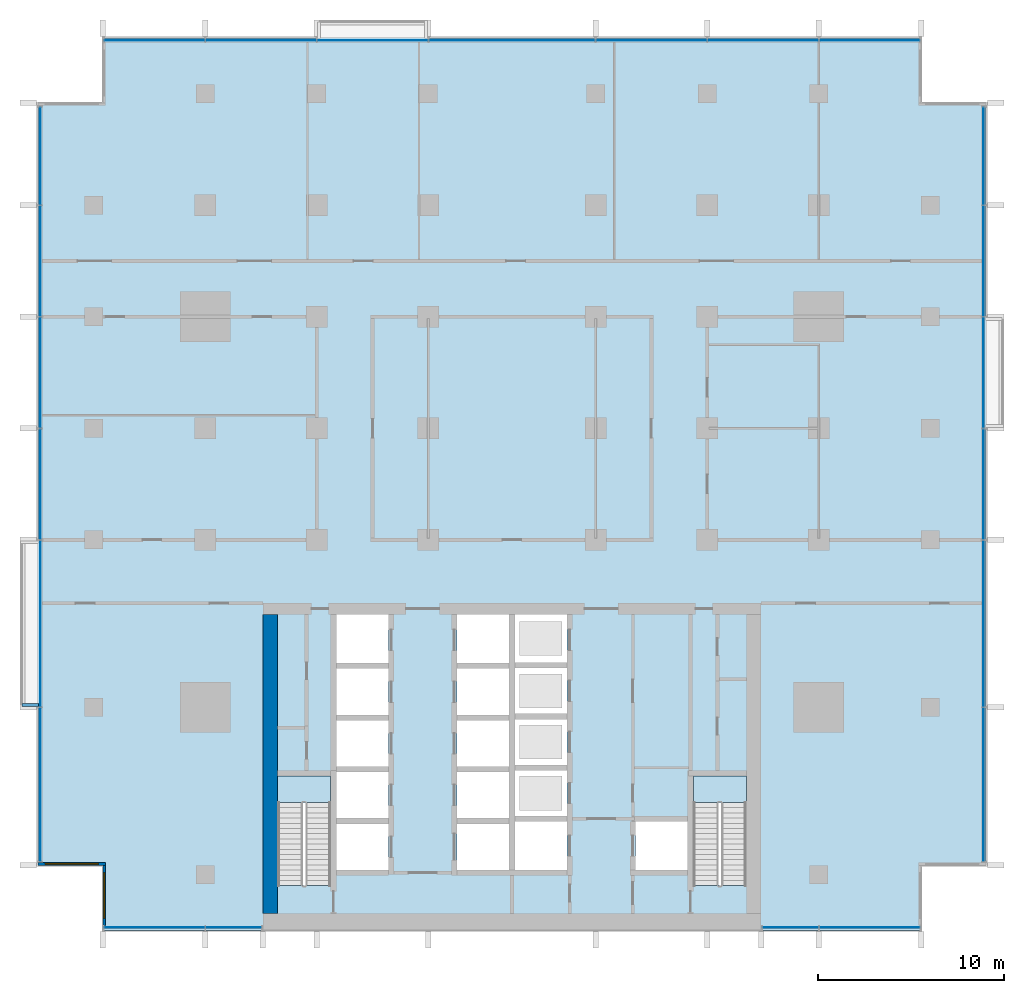
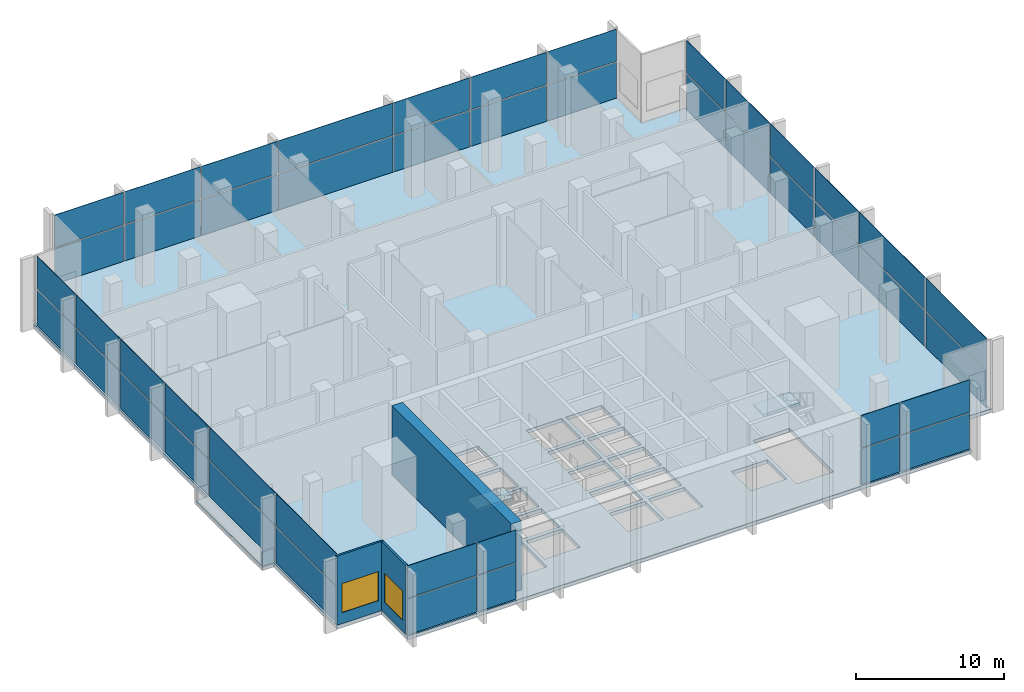
# One storey, part 6 of 16: 46 plates, 4 walls, 3 slabs, 2 windows, 2 openings, 7 elements without a shape of their own.
"""IFC4 building model written with IfcOpenShell, lengths in metres."""

import ifcopenshell
import ifcopenshell.guid

model = None  # the IFC model being written
_history = None  # IfcOwnerHistory: only IFC2X3 demands one
_inside = {}  # id of a spatial element -> (the spatial element, [elements in it])
_under = {}  # id of a project, library or spatial element -> (it, [spatial elements below it])
_declared = {}  # id of a project -> (the project, [libraries it declares])
_typed = {}  # id of a type object -> (the type object, [elements of that type])
_made_of = {}  # id of a material, layer set ... -> (it, [elements and type objects made of it])


def new_model(schema):
    """Start an empty IFC model of exactly this schema.

    Asked for "IFC4X3", IfcOpenShell would pick the latest addendum, in which some entities
    have other attributes; the version numbers below select the first issue.
    IFC2X3 requires an IfcOwnerHistory on every rooted entity: one is made here for all.
    """
    global model, _history
    if schema == "IFC4X3":
        model = ifcopenshell.file(schema_version=(4, 3, 0, 0))
    else:
        model = ifcopenshell.file(schema=schema)
    _inside.clear()
    _under.clear()
    _declared.clear()
    _typed.clear()
    _made_of.clear()
    _history = None
    if model.schema == "IFC2X3":
        org = make("IfcOrganization", Name="unknown")
        user = make(
            "IfcPersonAndOrganization",
            ThePerson=make("IfcPerson", FamilyName="unknown"),
            TheOrganization=org,
        )
        app = make(
            "IfcApplication",
            ApplicationDeveloper=org,
            Version="unknown",
            ApplicationFullName="unknown",
            ApplicationIdentifier="unknown",
        )
        _history = make(
            "IfcOwnerHistory",
            OwningUser=user,
            OwningApplication=app,
            ChangeAction="ADDED",
            CreationDate=0,
        )
    return model


def make(cls, **values):
    """One entity of the class cls with the attributes given. An attribute that is None is left unset."""
    return model.create_entity(
        cls, **{name: value for name, value in values.items() if value is not None}
    )


def rooted(cls, **values):
    """An entity with a GlobalId (a new one), such as an element, a storey or a relation."""
    return make(cls, GlobalId=ifcopenshell.guid.new(), OwnerHistory=_history, **values)


def si_unit(unit_type, name, prefix=None):
    """IfcSIUnit, for example si_unit("LENGTHUNIT", "METRE", prefix="MILLI")."""
    return make("IfcSIUnit", UnitType=unit_type, Prefix=prefix, Name=name)


def assignment(units):
    """IfcUnitAssignment: the units of a project."""
    return None if units is None else make("IfcUnitAssignment", Units=units)


def point(xyz):
    """IfcCartesianPoint."""
    return None if xyz is None else make("IfcCartesianPoint", Coordinates=xyz)


def direction(xyz):
    """IfcDirection."""
    return None if xyz is None else make("IfcDirection", DirectionRatios=xyz)


def frame(location, z_axis=None, x_axis=None):
    """IfcAxis2Placement3D, a coordinate frame: its origin and axes. An axis left out is left unset."""
    return make(
        "IfcAxis2Placement3D",
        Location=point(location),
        Axis=direction(z_axis),
        RefDirection=direction(x_axis),
    )


def frame_2d(location, x_axis=None):
    """IfcAxis2Placement2D, a coordinate frame in the plane: its origin and x axis."""
    return make(
        "IfcAxis2Placement2D", Location=point(location), RefDirection=direction(x_axis)
    )


def origin():
    """The frame at (0, 0, 0) with its axes left unset."""
    return frame((0.0, 0.0, 0.0))


def origin_2d():
    """The frame at (0, 0) in the plane with its x axis left unset."""
    return frame_2d((0.0, 0.0))


def place(relative_to, where):
    """IfcLocalPlacement: puts the frame where relative to a parent placement (None: the world)."""
    return make(
        "IfcLocalPlacement", PlacementRelTo=relative_to, RelativePlacement=where
    )


def context(
    kind, dimensions, precision=None, world=None, true_north=None, identifier=None
):
    """IfcGeometricRepresentationContext, for example the 3D "Model" context."""
    return make(
        "IfcGeometricRepresentationContext",
        ContextIdentifier=identifier,
        ContextType=kind,
        CoordinateSpaceDimension=dimensions,
        Precision=precision,
        WorldCoordinateSystem=world,
        TrueNorth=true_north,
    )


def subcontext(parent, identifier, kind, view, scale=None):
    """IfcGeometricRepresentationSubContext, for example "Body" below "Model"."""
    return make(
        "IfcGeometricRepresentationSubContext",
        ContextIdentifier=identifier,
        ContextType=kind,
        ParentContext=parent,
        TargetScale=scale,
        TargetView=view,
    )


def project(units=None, contexts=None):
    """IfcProject with its units and contexts."""
    return rooted(
        "IfcProject",
        Name="project",
        RepresentationContexts=contexts,
        UnitsInContext=assignment(units),
    )


def spatial(cls, under=None, at=None, **own):
    """A site, building, storey or space (cls), placed at a placement, below another one or the project."""
    s = rooted(cls, ObjectPlacement=at, **own)
    if under is not None:
        _under.setdefault(under.id(), (under, []))[1].append(s)
    return s


def polyline(points):
    """IfcPolyline through the points."""
    return make("IfcPolyline", Points=[point(p) for p in points])


def profile(cls, at=None, kind="AREA", **sizes):
    """A parametric profile (cls). Its sizes go by their IFC names, for example OverallWidth=200.0."""
    return make(cls, ProfileType=kind, Position=at, **sizes)


def rectangle(**sizes):
    """IfcRectangleProfileDef."""
    return profile("IfcRectangleProfileDef", **sizes)


def outline(outer, holes=None, kind="AREA"):
    """IfcArbitraryClosedProfileDef: a profile drawn as a closed curve; with holes, ...WithVoids."""
    if holes is None:
        return make("IfcArbitraryClosedProfileDef", ProfileType=kind, OuterCurve=outer)
    return make(
        "IfcArbitraryProfileDefWithVoids",
        ProfileType=kind,
        OuterCurve=outer,
        InnerCurves=holes,
    )


def extrude(swept, where, along, depth):
    """IfcExtrudedAreaSolid: the profile swept, set in the frame where, extruded along a direction by depth."""
    return make(
        "IfcExtrudedAreaSolid",
        SweptArea=swept,
        Position=where,
        ExtrudedDirection=direction(along),
        Depth=depth,
    )


def shape(context_of_items, identifier, shape_type, items):
    """IfcShapeRepresentation: the items that make up one representation, for example the "Body"."""
    return make(
        "IfcShapeRepresentation",
        ContextOfItems=context_of_items,
        RepresentationIdentifier=identifier,
        RepresentationType=shape_type,
        Items=items,
    )


def material(Name=None, Category=None):
    """IfcMaterial."""
    return make("IfcMaterial", Name=Name, Category=Category)


def layer(
    of_material, thickness, ventilated=None, Name=None, Category=None, Priority=None
):
    """IfcMaterialLayer: one layer of a wall or slab, of a material (None: an air gap)."""
    return make(
        "IfcMaterialLayer",
        Material=of_material,
        LayerThickness=thickness,
        IsVentilated=ventilated,
        Name=Name,
        Category=Category,
        Priority=Priority,
    )


def layer_set(layers, Name=None):
    """IfcMaterialLayerSet."""
    return make("IfcMaterialLayerSet", MaterialLayers=layers, LayerSetName=Name)


def made_of(thing, what):
    """Note that an element or type object is made of a material, layer set ...; save() writes the relation."""
    if what is not None:
        _made_of.setdefault(what.id(), (what, []))[1].append(thing)
    return thing


def type_object(cls, material=None, **own):
    """A type object (cls), such as IfcWallType, which elements share."""
    return made_of(rooted(cls, **own), material)


def element(
    cls,
    number,
    at=None,
    inside=None,
    cuts=None,
    type_object=None,
    material=None,
    context=None,
    identifier="Body",
    shape_type=None,
    held_by="IfcProductDefinitionShape",
    body=None,
    shapes=None,
    **own,
):
    """One element of the class cls, such as IfcWall. Its Tag is "e" and its number.

    at: its placement. inside: the storey or other place that contains it. cuts: it is an
    opening in that element (IfcRelVoidsElement). A single representation is given by context,
    identifier, shape_type and body (its items); several are given by shapes. held_by: the class
    of the entity that holds the representations. save() writes the other relations.
    """
    e = rooted(cls, Tag="e%d" % number, ObjectPlacement=at, **own)
    if body is not None:
        shapes = [shape(context, identifier, shape_type, body)]
    if shapes is not None:
        e.Representation = make(held_by, Representations=shapes)
    if inside is not None:
        _inside.setdefault(inside.id(), (inside, []))[1].append(e)
    if cuts is not None:
        rooted(
            "IfcRelVoidsElement", RelatingBuildingElement=cuts, RelatedOpeningElement=e
        )
    if type_object is not None:
        _typed.setdefault(type_object.id(), (type_object, []))[1].append(e)
    return made_of(e, material)


def fill(opening, filler):
    """IfcRelFillsElement: the door or window that sits in an opening."""
    return rooted(
        "IfcRelFillsElement",
        RelatingOpeningElement=opening,
        RelatedBuildingElement=filler,
    )


def aggregate(whole, parts):
    """IfcRelAggregates: a whole, such as a stair, and the parts it consists of."""
    return rooted("IfcRelAggregates", RelatingObject=whole, RelatedObjects=parts)


def save(model, path):
    """Write the relations noted so far, then the file.

    IfcRelAggregates (storeys below a building ...), IfcRelContainedInSpatialStructure (elements
    in a storey), IfcRelDefinesByType, IfcRelAssociatesMaterial and IfcRelDeclares: one each for
    every whole, place, type object, material and project.
    """
    for whole, parts in _under.values():
        aggregate(whole, parts)
    for where, things in _inside.values():
        rooted(
            "IfcRelContainedInSpatialStructure",
            RelatedElements=things,
            RelatingStructure=where,
        )
    for kind, things in _typed.values():
        rooted("IfcRelDefinesByType", RelatedObjects=things, RelatingType=kind)
    for what, things in _made_of.values():
        rooted("IfcRelAssociatesMaterial", RelatedObjects=things, RelatingMaterial=what)
    for by, libraries in _declared.values():
        rooted("IfcRelDeclares", RelatingContext=by, RelatedDefinitions=libraries)
    model.write(path)


model = new_model("IFC4")

# Units and contexts
model_context = context("Model", 3, precision=1e-05, world=origin(), true_north=direction((0.0, 1.0)))
body_context = subcontext(model_context, "Body", "Model", "MODEL_VIEW")
ifc_project = project(units=[si_unit("LENGTHUNIT", "METRE"), si_unit("AREAUNIT", "SQUARE_METRE"), si_unit("VOLUMEUNIT", "CUBIC_METRE"), si_unit("PLANEANGLEUNIT", "RADIAN"), si_unit("MASSUNIT", "GRAM", prefix="KILO")], contexts=[model_context])

# Site, building, storey
site_placement = place(None, origin())
site = spatial("IfcSite", under=ifc_project, at=site_placement, CompositionType="ELEMENT")
building_placement = place(site_placement, origin())
building = spatial("IfcBuilding", under=site, at=building_placement, Name="Finial Court Residences", CompositionType="ELEMENT")
storey_placement = place(building_placement, frame((0.0, 0.0, 127.89990234375)))
storey = spatial("IfcBuildingStorey", under=building, at=storey_placement, Name="L32", CompositionType="ELEMENT", Elevation=127.89990234375)

# Curtain wall, plates
ifc_material_1 = material(Name="Bronze anodised aluminium", Category="aluminium")
curtain_wall_type = type_object("IfcCurtainWallType", Name="Sky amenity glazing", PredefinedType="NOTDEFINED", material=ifc_material_1)
curtain_wall_1_placement = place(storey_placement, origin())
curtain_wall_1 = element("IfcCurtainWall", 1, at=curtain_wall_1_placement, inside=storey, type_object=curtain_wall_type, Name="E-L32-CW-N1", PredefinedType="NOTDEFINED")
ifc_material_2 = material(Name="Clear low-e glass", Category="glass")
ifc_layer_1 = layer(ifc_material_2, 0.035888671875)
ifc_layer_set_1 = layer_set([ifc_layer_1], Name="CW3 vision glass 36")
plate_type = type_object("IfcPlateType", Name="CW3 vision glass 36", PredefinedType="CURTAIN_PANEL", material=ifc_layer_set_1)
plate_1_placement = place(storey_placement, frame((-19.231201171875, 22.35009765625, 0.000244140625), z_axis=(0.0, 0.0, 1.0), x_axis=(1.0, 0.0, 0.0)))
plate_1 = element("IfcPlate", 2, at=plate_1_placement, type_object=plate_type, Name="CW3 glass 1.1", PredefinedType="CURTAIN_PANEL", context=body_context, shape_type="SweptSolid", body=[
    extrude(rectangle(XDim=5.387451171875, YDim=0.035888671875, at=origin_2d()), origin(), (0.0, 0.0, 1.0), 2.96240234375),
])
plate_2_placement = place(storey_placement, frame((-19.231201171875, 22.35009765625, 3.03759765625), z_axis=(0.0, 0.0, 1.0), x_axis=(1.0, 0.0, 0.0)))
plate_2 = element("IfcPlate", 3, at=plate_2_placement, type_object=plate_type, Name="CW3 glass 1.2", PredefinedType="CURTAIN_PANEL", context=body_context, shape_type="SweptSolid", body=[
    extrude(rectangle(XDim=5.387451171875, YDim=0.035888671875, at=origin_2d()), origin(), (0.0, 0.0, 1.0), 2.66259765625),
])
plate_3_placement = place(storey_placement, frame((-13.5, 22.35009765625, 0.000244140625), z_axis=(0.0, 0.0, 1.0), x_axis=(1.0, 0.0, 0.0)))
plate_3 = element("IfcPlate", 4, at=plate_3_placement, type_object=plate_type, Name="CW3 glass 2.1", PredefinedType="CURTAIN_PANEL", context=body_context, shape_type="SweptSolid", body=[
    extrude(rectangle(XDim=5.925048828125, YDim=0.035888671875, at=origin_2d()), origin(), (0.0, 0.0, 1.0), 2.96240234375),
])
plate_4_placement = place(storey_placement, frame((-13.5, 22.35009765625, 3.03759765625), z_axis=(0.0, 0.0, 1.0), x_axis=(1.0, 0.0, 0.0)))
plate_4 = element("IfcPlate", 5, at=plate_4_placement, type_object=plate_type, Name="CW3 glass 2.2", PredefinedType="CURTAIN_PANEL", context=body_context, shape_type="SweptSolid", body=[
    extrude(rectangle(XDim=5.925048828125, YDim=0.035888671875, at=origin_2d()), origin(), (0.0, 0.0, 1.0), 2.66259765625),
])
plate_5_placement = place(storey_placement, frame((-7.5, 22.35009765625, 0.000244140625), z_axis=(0.0, 0.0, 1.0), x_axis=(1.0, 0.0, 0.0)))
plate_5 = element("IfcPlate", 6, at=plate_5_placement, type_object=plate_type, Name="CW3 glass 3.1", PredefinedType="CURTAIN_PANEL", context=body_context, shape_type="SweptSolid", body=[
    extrude(rectangle(XDim=5.925048828125, YDim=0.035888671875, at=origin_2d()), origin(), (0.0, 0.0, 1.0), 2.96240234375),
])
plate_6_placement = place(storey_placement, frame((-7.5, 22.35009765625, 3.03759765625), z_axis=(0.0, 0.0, 1.0), x_axis=(1.0, 0.0, 0.0)))
plate_6 = element("IfcPlate", 7, at=plate_6_placement, type_object=plate_type, Name="CW3 glass 3.2", PredefinedType="CURTAIN_PANEL", context=body_context, shape_type="SweptSolid", body=[
    extrude(rectangle(XDim=5.925048828125, YDim=0.035888671875, at=origin_2d()), origin(), (0.0, 0.0, 1.0), 2.66259765625),
])
plate_7_placement = place(storey_placement, frame((0.0, 22.35009765625, 0.000244140625), z_axis=(0.0, 0.0, 1.0), x_axis=(1.0, 0.0, 0.0)))
plate_7 = element("IfcPlate", 8, at=plate_7_placement, type_object=plate_type, Name="CW3 glass 4.1", PredefinedType="CURTAIN_PANEL", context=body_context, shape_type="SweptSolid", body=[
    extrude(rectangle(XDim=8.925048828125, YDim=0.035888671875, at=origin_2d()), origin(), (0.0, 0.0, 1.0), 2.96240234375),
])
plate_8_placement = place(storey_placement, frame((0.0, 22.35009765625, 3.03759765625), z_axis=(0.0, 0.0, 1.0), x_axis=(1.0, 0.0, 0.0)))
plate_8 = element("IfcPlate", 9, at=plate_8_placement, type_object=plate_type, Name="CW3 glass 4.2", PredefinedType="CURTAIN_PANEL", context=body_context, shape_type="SweptSolid", body=[
    extrude(rectangle(XDim=8.925048828125, YDim=0.035888671875, at=origin_2d()), origin(), (0.0, 0.0, 1.0), 2.66259765625),
])
plate_9_placement = place(storey_placement, frame((7.5, 22.35009765625, 0.000244140625), z_axis=(0.0, 0.0, 1.0), x_axis=(1.0, 0.0, 0.0)))
plate_9 = element("IfcPlate", 10, at=plate_9_placement, type_object=plate_type, Name="CW3 glass 5.1", PredefinedType="CURTAIN_PANEL", context=body_context, shape_type="SweptSolid", body=[
    extrude(rectangle(XDim=5.925048828125, YDim=0.035888671875, at=origin_2d()), origin(), (0.0, 0.0, 1.0), 2.96240234375),
])
plate_10_placement = place(storey_placement, frame((7.5, 22.35009765625, 3.03759765625), z_axis=(0.0, 0.0, 1.0), x_axis=(1.0, 0.0, 0.0)))
plate_10 = element("IfcPlate", 11, at=plate_10_placement, type_object=plate_type, Name="CW3 glass 5.2", PredefinedType="CURTAIN_PANEL", context=body_context, shape_type="SweptSolid", body=[
    extrude(rectangle(XDim=5.925048828125, YDim=0.035888671875, at=origin_2d()), origin(), (0.0, 0.0, 1.0), 2.66259765625),
])
plate_11_placement = place(storey_placement, frame((13.5, 22.35009765625, 0.000244140625), z_axis=(0.0, 0.0, 1.0), x_axis=(1.0, 0.0, 0.0)))
plate_11 = element("IfcPlate", 12, at=plate_11_placement, type_object=plate_type, Name="CW3 glass 6.1", PredefinedType="CURTAIN_PANEL", context=body_context, shape_type="SweptSolid", body=[
    extrude(rectangle(XDim=5.925048828125, YDim=0.035888671875, at=origin_2d()), origin(), (0.0, 0.0, 1.0), 2.96240234375),
])
plate_12_placement = place(storey_placement, frame((13.5, 22.35009765625, 3.03759765625), z_axis=(0.0, 0.0, 1.0), x_axis=(1.0, 0.0, 0.0)))
plate_12 = element("IfcPlate", 13, at=plate_12_placement, type_object=plate_type, Name="CW3 glass 6.2", PredefinedType="CURTAIN_PANEL", context=body_context, shape_type="SweptSolid", body=[
    extrude(rectangle(XDim=5.925048828125, YDim=0.035888671875, at=origin_2d()), origin(), (0.0, 0.0, 1.0), 2.66259765625),
])
plate_13_placement = place(storey_placement, frame((19.231201171875, 22.35009765625, 0.000244140625), z_axis=(0.0, 0.0, 1.0), x_axis=(1.0, 0.0, 0.0)))
plate_13 = element("IfcPlate", 14, at=plate_13_placement, type_object=plate_type, Name="CW3 glass 7.1", PredefinedType="CURTAIN_PANEL", context=body_context, shape_type="SweptSolid", body=[
    extrude(rectangle(XDim=5.387451171875, YDim=0.035888671875, at=origin_2d()), origin(), (0.0, 0.0, 1.0), 2.96240234375),
])
plate_14_placement = place(storey_placement, frame((19.231201171875, 22.35009765625, 3.03759765625), z_axis=(0.0, 0.0, 1.0), x_axis=(1.0, 0.0, 0.0)))
plate_14 = element("IfcPlate", 15, at=plate_14_placement, type_object=plate_type, Name="CW3 glass 7.2", PredefinedType="CURTAIN_PANEL", context=body_context, shape_type="SweptSolid", body=[
    extrude(rectangle(XDim=5.387451171875, YDim=0.035888671875, at=origin_2d()), origin(), (0.0, 0.0, 1.0), 2.66259765625),
])
aggregate(curtain_wall_1, [plate_1, plate_2, plate_3, plate_4, plate_5, plate_6, plate_7, plate_8, plate_9, plate_10, plate_11, plate_12, plate_13, plate_14])

curtain_wall_2_placement = place(storey_placement, origin())
curtain_wall_2 = element("IfcCurtainWall", 16, at=curtain_wall_2_placement, inside=storey, type_object=curtain_wall_type, Name="E-L32-CW-E2", PredefinedType="NOTDEFINED")
plate_15_placement = place(storey_placement, frame((25.35009765625, -17.65625, 0.000244140625), z_axis=(0.0, 0.0, 1.0), x_axis=(0.0, 1.0, 0.0)))
plate_15 = element("IfcPlate", 17, at=plate_15_placement, type_object=plate_type, Name="CW3 glass 1.1", PredefinedType="CURTAIN_PANEL", context=body_context, shape_type="SweptSolid", body=[
    extrude(rectangle(XDim=8.237548828125, YDim=0.035888671875, at=origin_2d()), origin(), (0.0, 0.0, 1.0), 2.96240234375),
])
plate_16_placement = place(storey_placement, frame((25.35009765625, -17.65625, 3.03759765625), z_axis=(0.0, 0.0, 1.0), x_axis=(0.0, 1.0, 0.0)))
plate_16 = element("IfcPlate", 18, at=plate_16_placement, type_object=plate_type, Name="CW3 glass 1.2", PredefinedType="CURTAIN_PANEL", context=body_context, shape_type="SweptSolid", body=[
    extrude(rectangle(XDim=8.237548828125, YDim=0.035888671875, at=origin_2d()), origin(), (0.0, 0.0, 1.0), 2.66259765625),
])
plate_17_placement = place(storey_placement, frame((25.35009765625, -9.0, 0.000244140625), z_axis=(0.0, 0.0, 1.0), x_axis=(0.0, 1.0, 0.0)))
plate_17 = element("IfcPlate", 19, at=plate_17_placement, type_object=plate_type, Name="CW3 glass 2.1", PredefinedType="CURTAIN_PANEL", context=body_context, shape_type="SweptSolid", body=[
    extrude(rectangle(XDim=8.925048828125, YDim=0.035888671875, at=origin_2d()), origin(), (0.0, 0.0, 1.0), 2.96240234375),
])
plate_18_placement = place(storey_placement, frame((25.35009765625, -9.0, 3.03759765625), z_axis=(0.0, 0.0, 1.0), x_axis=(0.0, 1.0, 0.0)))
plate_18 = element("IfcPlate", 20, at=plate_18_placement, type_object=plate_type, Name="CW3 glass 2.2", PredefinedType="CURTAIN_PANEL", context=body_context, shape_type="SweptSolid", body=[
    extrude(rectangle(XDim=8.925048828125, YDim=0.035888671875, at=origin_2d()), origin(), (0.0, 0.0, 1.0), 2.66259765625),
])
plate_19_placement = place(storey_placement, frame((25.35009765625, -1.5, 0.000244140625), z_axis=(0.0, 0.0, 1.0), x_axis=(0.0, 1.0, 0.0)))
plate_19 = element("IfcPlate", 21, at=plate_19_placement, type_object=plate_type, Name="CW3 glass 3.1", PredefinedType="CURTAIN_PANEL", context=body_context, shape_type="SweptSolid", body=[
    extrude(rectangle(XDim=5.925048828125, YDim=0.035888671875, at=origin_2d()), origin(), (0.0, 0.0, 1.0), 2.96240234375),
])
plate_20_placement = place(storey_placement, frame((25.35009765625, -1.5, 3.03759765625), z_axis=(0.0, 0.0, 1.0), x_axis=(0.0, 1.0, 0.0)))
plate_20 = element("IfcPlate", 22, at=plate_20_placement, type_object=plate_type, Name="CW3 glass 3.2", PredefinedType="CURTAIN_PANEL", context=body_context, shape_type="SweptSolid", body=[
    extrude(rectangle(XDim=5.925048828125, YDim=0.035888671875, at=origin_2d()), origin(), (0.0, 0.0, 1.0), 2.66259765625),
])
plate_21_placement = place(storey_placement, frame((25.35009765625, 4.5, 0.000244140625), z_axis=(0.0, 0.0, 1.0), x_axis=(0.0, 1.0, 0.0)))
plate_21 = element("IfcPlate", 23, at=plate_21_placement, type_object=plate_type, Name="CW3 glass 4.1", PredefinedType="CURTAIN_PANEL", context=body_context, shape_type="SweptSolid", body=[
    extrude(rectangle(XDim=5.925048828125, YDim=0.035888671875, at=origin_2d()), origin(), (0.0, 0.0, 1.0), 2.96240234375),
])
plate_22_placement = place(storey_placement, frame((25.35009765625, 4.5, 3.03759765625), z_axis=(0.0, 0.0, 1.0), x_axis=(0.0, 1.0, 0.0)))
plate_22 = element("IfcPlate", 24, at=plate_22_placement, type_object=plate_type, Name="CW3 glass 4.2", PredefinedType="CURTAIN_PANEL", context=body_context, shape_type="SweptSolid", body=[
    extrude(rectangle(XDim=5.925048828125, YDim=0.035888671875, at=origin_2d()), origin(), (0.0, 0.0, 1.0), 2.66259765625),
])
plate_23_placement = place(storey_placement, frame((25.35009765625, 10.5, 0.000244140625), z_axis=(0.0, 0.0, 1.0), x_axis=(0.0, 1.0, 0.0)))
plate_23 = element("IfcPlate", 25, at=plate_23_placement, type_object=plate_type, Name="CW3 glass 5.1", PredefinedType="CURTAIN_PANEL", context=body_context, shape_type="SweptSolid", body=[
    extrude(rectangle(XDim=5.925048828125, YDim=0.035888671875, at=origin_2d()), origin(), (0.0, 0.0, 1.0), 2.96240234375),
])
plate_24_placement = place(storey_placement, frame((25.35009765625, 10.5, 3.03759765625), z_axis=(0.0, 0.0, 1.0), x_axis=(0.0, 1.0, 0.0)))
plate_24 = element("IfcPlate", 26, at=plate_24_placement, type_object=plate_type, Name="CW3 glass 5.2", PredefinedType="CURTAIN_PANEL", context=body_context, shape_type="SweptSolid", body=[
    extrude(rectangle(XDim=5.925048828125, YDim=0.035888671875, at=origin_2d()), origin(), (0.0, 0.0, 1.0), 2.66259765625),
])
plate_25_placement = place(storey_placement, frame((25.35009765625, 16.15625, 0.000244140625), z_axis=(0.0, 0.0, 1.0), x_axis=(0.0, 1.0, 0.0)))
plate_25 = element("IfcPlate", 27, at=plate_25_placement, type_object=plate_type, Name="CW3 glass 6.1", PredefinedType="CURTAIN_PANEL", context=body_context, shape_type="SweptSolid", body=[
    extrude(rectangle(XDim=5.237548828125, YDim=0.035888671875, at=origin_2d()), origin(), (0.0, 0.0, 1.0), 2.96240234375),
])
plate_26_placement = place(storey_placement, frame((25.35009765625, 16.15625, 3.03759765625), z_axis=(0.0, 0.0, 1.0), x_axis=(0.0, 1.0, 0.0)))
plate_26 = element("IfcPlate", 28, at=plate_26_placement, type_object=plate_type, Name="CW3 glass 6.2", PredefinedType="CURTAIN_PANEL", context=body_context, shape_type="SweptSolid", body=[
    extrude(rectangle(XDim=5.237548828125, YDim=0.035888671875, at=origin_2d()), origin(), (0.0, 0.0, 1.0), 2.66259765625),
])
aggregate(curtain_wall_2, [plate_15, plate_16, plate_17, plate_18, plate_19, plate_20, plate_21, plate_22, plate_23, plate_24, plate_25, plate_26])

curtain_wall_3_placement = place(storey_placement, origin())
curtain_wall_3 = element("IfcCurtainWall", 29, at=curtain_wall_3_placement, inside=storey, type_object=curtain_wall_type, Name="E-L32-CW-S3", PredefinedType="NOTDEFINED")
plate_27_placement = place(storey_placement, frame((-19.231201171875, -25.35009765625, 0.000244140625), z_axis=(0.0, 0.0, 1.0), x_axis=(1.0, 0.0, 0.0)))
plate_27 = element("IfcPlate", 30, at=plate_27_placement, type_object=plate_type, Name="CW3 glass 1.1", PredefinedType="CURTAIN_PANEL", context=body_context, shape_type="SweptSolid", body=[
    extrude(rectangle(XDim=5.387451171875, YDim=0.035888671875, at=origin_2d()), origin(), (0.0, 0.0, 1.0), 2.96240234375),
])
plate_28_placement = place(storey_placement, frame((-19.231201171875, -25.35009765625, 3.03759765625), z_axis=(0.0, 0.0, 1.0), x_axis=(1.0, 0.0, 0.0)))
plate_28 = element("IfcPlate", 31, at=plate_28_placement, type_object=plate_type, Name="CW3 glass 1.2", PredefinedType="CURTAIN_PANEL", context=body_context, shape_type="SweptSolid", body=[
    extrude(rectangle(XDim=5.387451171875, YDim=0.035888671875, at=origin_2d()), origin(), (0.0, 0.0, 1.0), 2.66259765625),
])
plate_29_placement = place(storey_placement, frame((-14.96875, -25.35009765625, 0.000244140625), z_axis=(0.0, 0.0, 1.0), x_axis=(1.0, 0.0, 0.0)))
plate_29 = element("IfcPlate", 32, at=plate_29_placement, type_object=plate_type, Name="CW3 glass 2.1", PredefinedType="CURTAIN_PANEL", context=body_context, shape_type="SweptSolid", body=[
    extrude(rectangle(XDim=2.987548828125, YDim=0.035888671875, at=origin_2d()), origin(), (0.0, 0.0, 1.0), 2.96240234375),
])
plate_30_placement = place(storey_placement, frame((-14.96875, -25.35009765625, 3.03759765625), z_axis=(0.0, 0.0, 1.0), x_axis=(1.0, 0.0, 0.0)))
plate_30 = element("IfcPlate", 33, at=plate_30_placement, type_object=plate_type, Name="CW3 glass 2.2", PredefinedType="CURTAIN_PANEL", context=body_context, shape_type="SweptSolid", body=[
    extrude(rectangle(XDim=2.987548828125, YDim=0.035888671875, at=origin_2d()), origin(), (0.0, 0.0, 1.0), 2.66259765625),
])
aggregate(curtain_wall_3, [plate_27, plate_28, plate_29, plate_30])

curtain_wall_4_placement = place(storey_placement, origin())
curtain_wall_4 = element("IfcCurtainWall", 34, at=curtain_wall_4_placement, inside=storey, type_object=curtain_wall_type, Name="E-L32-CW-S4", PredefinedType="NOTDEFINED")
plate_31_placement = place(storey_placement, frame((14.96875, -25.35009765625, 0.000244140625), z_axis=(0.0, 0.0, 1.0), x_axis=(1.0, 0.0, 0.0)))
plate_31 = element("IfcPlate", 35, at=plate_31_placement, type_object=plate_type, Name="CW3 glass 1.1", PredefinedType="CURTAIN_PANEL", context=body_context, shape_type="SweptSolid", body=[
    extrude(rectangle(XDim=2.987548828125, YDim=0.035888671875, at=origin_2d()), origin(), (0.0, 0.0, 1.0), 2.96240234375),
])
plate_32_placement = place(storey_placement, frame((14.96875, -25.35009765625, 3.03759765625), z_axis=(0.0, 0.0, 1.0), x_axis=(1.0, 0.0, 0.0)))
plate_32 = element("IfcPlate", 36, at=plate_32_placement, type_object=plate_type, Name="CW3 glass 1.2", PredefinedType="CURTAIN_PANEL", context=body_context, shape_type="SweptSolid", body=[
    extrude(rectangle(XDim=2.987548828125, YDim=0.035888671875, at=origin_2d()), origin(), (0.0, 0.0, 1.0), 2.66259765625),
])
plate_33_placement = place(storey_placement, frame((19.231201171875, -25.35009765625, 0.000244140625), z_axis=(0.0, 0.0, 1.0), x_axis=(1.0, 0.0, 0.0)))
plate_33 = element("IfcPlate", 37, at=plate_33_placement, type_object=plate_type, Name="CW3 glass 2.1", PredefinedType="CURTAIN_PANEL", context=body_context, shape_type="SweptSolid", body=[
    extrude(rectangle(XDim=5.387451171875, YDim=0.035888671875, at=origin_2d()), origin(), (0.0, 0.0, 1.0), 2.96240234375),
])
plate_34_placement = place(storey_placement, frame((19.231201171875, -25.35009765625, 3.03759765625), z_axis=(0.0, 0.0, 1.0), x_axis=(1.0, 0.0, 0.0)))
plate_34 = element("IfcPlate", 38, at=plate_34_placement, type_object=plate_type, Name="CW3 glass 2.2", PredefinedType="CURTAIN_PANEL", context=body_context, shape_type="SweptSolid", body=[
    extrude(rectangle(XDim=5.387451171875, YDim=0.035888671875, at=origin_2d()), origin(), (0.0, 0.0, 1.0), 2.66259765625),
])
aggregate(curtain_wall_4, [plate_31, plate_32, plate_33, plate_34])

curtain_wall_5_placement = place(storey_placement, origin())
curtain_wall_5 = element("IfcCurtainWall", 39, at=curtain_wall_5_placement, inside=storey, type_object=curtain_wall_type, Name="E-L32-CW-W5", PredefinedType="NOTDEFINED")
plate_35_placement = place(storey_placement, frame((-25.35009765625, -17.65625, 0.000244140625), z_axis=(0.0, 0.0, 1.0), x_axis=(0.0, 1.0, 0.0)))
plate_35 = element("IfcPlate", 40, at=plate_35_placement, type_object=plate_type, Name="CW3 glass 1.1", PredefinedType="CURTAIN_PANEL", context=body_context, shape_type="SweptSolid", body=[
    extrude(rectangle(XDim=8.237548828125, YDim=0.035888671875, at=origin_2d()), origin(), (0.0, 0.0, 1.0), 2.96240234375),
])
plate_36_placement = place(storey_placement, frame((-25.35009765625, -17.65625, 3.03759765625), z_axis=(0.0, 0.0, 1.0), x_axis=(0.0, 1.0, 0.0)))
plate_36 = element("IfcPlate", 41, at=plate_36_placement, type_object=plate_type, Name="CW3 glass 1.2", PredefinedType="CURTAIN_PANEL", context=body_context, shape_type="SweptSolid", body=[
    extrude(rectangle(XDim=8.237548828125, YDim=0.035888671875, at=origin_2d()), origin(), (0.0, 0.0, 1.0), 2.66259765625),
])
plate_37_placement = place(storey_placement, frame((-25.35009765625, -9.0, 0.000244140625), z_axis=(0.0, 0.0, 1.0), x_axis=(0.0, 1.0, 0.0)))
plate_37 = element("IfcPlate", 42, at=plate_37_placement, type_object=plate_type, Name="CW3 glass 2.1", PredefinedType="CURTAIN_PANEL", context=body_context, shape_type="SweptSolid", body=[
    extrude(rectangle(XDim=8.925048828125, YDim=0.035888671875, at=origin_2d()), origin(), (0.0, 0.0, 1.0), 2.96240234375),
])
plate_38_placement = place(storey_placement, frame((-25.35009765625, -9.0, 3.03759765625), z_axis=(0.0, 0.0, 1.0), x_axis=(0.0, 1.0, 0.0)))
plate_38 = element("IfcPlate", 43, at=plate_38_placement, type_object=plate_type, Name="CW3 glass 2.2", PredefinedType="CURTAIN_PANEL", context=body_context, shape_type="SweptSolid", body=[
    extrude(rectangle(XDim=8.925048828125, YDim=0.035888671875, at=origin_2d()), origin(), (0.0, 0.0, 1.0), 2.66259765625),
])
plate_39_placement = place(storey_placement, frame((-25.35009765625, -1.5, 0.000244140625), z_axis=(0.0, 0.0, 1.0), x_axis=(0.0, 1.0, 0.0)))
plate_39 = element("IfcPlate", 44, at=plate_39_placement, type_object=plate_type, Name="CW3 glass 3.1", PredefinedType="CURTAIN_PANEL", context=body_context, shape_type="SweptSolid", body=[
    extrude(rectangle(XDim=5.925048828125, YDim=0.035888671875, at=origin_2d()), origin(), (0.0, 0.0, 1.0), 2.96240234375),
])
plate_40_placement = place(storey_placement, frame((-25.35009765625, -1.5, 3.03759765625), z_axis=(0.0, 0.0, 1.0), x_axis=(0.0, 1.0, 0.0)))
plate_40 = element("IfcPlate", 45, at=plate_40_placement, type_object=plate_type, Name="CW3 glass 3.2", PredefinedType="CURTAIN_PANEL", context=body_context, shape_type="SweptSolid", body=[
    extrude(rectangle(XDim=5.925048828125, YDim=0.035888671875, at=origin_2d()), origin(), (0.0, 0.0, 1.0), 2.66259765625),
])
plate_41_placement = place(storey_placement, frame((-25.35009765625, 4.5, 0.000244140625), z_axis=(0.0, 0.0, 1.0), x_axis=(0.0, 1.0, 0.0)))
plate_41 = element("IfcPlate", 46, at=plate_41_placement, type_object=plate_type, Name="CW3 glass 4.1", PredefinedType="CURTAIN_PANEL", context=body_context, shape_type="SweptSolid", body=[
    extrude(rectangle(XDim=5.925048828125, YDim=0.035888671875, at=origin_2d()), origin(), (0.0, 0.0, 1.0), 2.96240234375),
])
plate_42_placement = place(storey_placement, frame((-25.35009765625, 4.5, 3.03759765625), z_axis=(0.0, 0.0, 1.0), x_axis=(0.0, 1.0, 0.0)))
plate_42 = element("IfcPlate", 47, at=plate_42_placement, type_object=plate_type, Name="CW3 glass 4.2", PredefinedType="CURTAIN_PANEL", context=body_context, shape_type="SweptSolid", body=[
    extrude(rectangle(XDim=5.925048828125, YDim=0.035888671875, at=origin_2d()), origin(), (0.0, 0.0, 1.0), 2.66259765625),
])
plate_43_placement = place(storey_placement, frame((-25.35009765625, 10.5, 0.000244140625), z_axis=(0.0, 0.0, 1.0), x_axis=(0.0, 1.0, 0.0)))
plate_43 = element("IfcPlate", 48, at=plate_43_placement, type_object=plate_type, Name="CW3 glass 5.1", PredefinedType="CURTAIN_PANEL", context=body_context, shape_type="SweptSolid", body=[
    extrude(rectangle(XDim=5.925048828125, YDim=0.035888671875, at=origin_2d()), origin(), (0.0, 0.0, 1.0), 2.96240234375),
])
plate_44_placement = place(storey_placement, frame((-25.35009765625, 10.5, 3.03759765625), z_axis=(0.0, 0.0, 1.0), x_axis=(0.0, 1.0, 0.0)))
plate_44 = element("IfcPlate", 49, at=plate_44_placement, type_object=plate_type, Name="CW3 glass 5.2", PredefinedType="CURTAIN_PANEL", context=body_context, shape_type="SweptSolid", body=[
    extrude(rectangle(XDim=5.925048828125, YDim=0.035888671875, at=origin_2d()), origin(), (0.0, 0.0, 1.0), 2.66259765625),
])
plate_45_placement = place(storey_placement, frame((-25.35009765625, 16.15625, 0.000244140625), z_axis=(0.0, 0.0, 1.0), x_axis=(0.0, 1.0, 0.0)))
plate_45 = element("IfcPlate", 50, at=plate_45_placement, type_object=plate_type, Name="CW3 glass 6.1", PredefinedType="CURTAIN_PANEL", context=body_context, shape_type="SweptSolid", body=[
    extrude(rectangle(XDim=5.237548828125, YDim=0.035888671875, at=origin_2d()), origin(), (0.0, 0.0, 1.0), 2.96240234375),
])
plate_46_placement = place(storey_placement, frame((-25.35009765625, 16.15625, 3.03759765625), z_axis=(0.0, 0.0, 1.0), x_axis=(0.0, 1.0, 0.0)))
plate_46 = element("IfcPlate", 51, at=plate_46_placement, type_object=plate_type, Name="CW3 glass 6.2", PredefinedType="CURTAIN_PANEL", context=body_context, shape_type="SweptSolid", body=[
    extrude(rectangle(XDim=5.237548828125, YDim=0.035888671875, at=origin_2d()), origin(), (0.0, 0.0, 1.0), 2.66259765625),
])
aggregate(curtain_wall_5, [plate_35, plate_36, plate_37, plate_38, plate_39, plate_40, plate_41, plate_42, plate_43, plate_44, plate_45, plate_46])

# Stair, slab
ifc_material_3 = material(Name="Concrete C50/60", Category="concrete")
stair_type = type_object("IfcStairType", Name="Exit stair 34 risers of 176.5 mm", PredefinedType="HALF_TURN_STAIR", material=ifc_material_3)
stair_1_placement = place(storey_placement, origin())
stair_1 = element("IfcStair", 52, at=stair_1_placement, inside=storey, type_object=stair_type, Name="L32 Exit stair ST-1", PredefinedType="HALF_TURN_STAIR")
ifc_layer_2 = layer(ifc_material_3, 0.199951171875)
ifc_layer_set_2 = layer_set([ifc_layer_2], Name="Exit stair landing")
slab_type_1 = type_object("IfcSlabType", Name="Exit stair landing", PredefinedType="LANDING", material=ifc_layer_set_2)
slab_1_placement = place(storey_placement, frame((0.0, 0.0, 2.800048828125)))
slab_1 = element("IfcSlab", 53, at=slab_1_placement, type_object=slab_type_1, Name="ST-1 landing 1", PredefinedType="LANDING", context=body_context, shape_type="SweptSolid", body=[
    extrude(outline(polyline([(-9.75, -18.6201171875), (-9.75, -17.199951171875), (-12.60009765625, -17.199951171875), (-12.60009765625, -18.6201171875), (-9.75, -18.6201171875)])), origin(), (0.0, 0.0, 1.0), 0.199951171875),
])
aggregate(stair_1, [slab_1])

stair_2_placement = place(storey_placement, origin())
stair_2 = element("IfcStair", 54, at=stair_2_placement, inside=storey, type_object=stair_type, Name="L32 Exit stair ST-2", PredefinedType="HALF_TURN_STAIR")
slab_2_placement = place(storey_placement, frame((0.0, 0.0, 2.800048828125)))
slab_2 = element("IfcSlab", 55, at=slab_2_placement, type_object=slab_type_1, Name="ST-2 landing 1", PredefinedType="LANDING", context=body_context, shape_type="SweptSolid", body=[
    extrude(outline(polyline([(12.60009765625, -18.6201171875), (12.60009765625, -17.199951171875), (9.75, -17.199951171875), (9.75, -18.6201171875), (12.60009765625, -18.6201171875)])), origin(), (0.0, 0.0, 1.0), 0.199951171875),
])
aggregate(stair_2, [slab_2])

# Slab
ifc_material_4 = material(Name="Concrete C40/50", Category="concrete")
ifc_layer_3 = layer(ifc_material_4, 0.300048828125)
ifc_layer_set_3 = layer_set([ifc_layer_3], Name="Flat plate slab 300 Concrete C40/50")
slab_type_2 = type_object("IfcSlabType", Name="Flat plate slab 300 Concrete C40/50", PredefinedType="FLOOR", material=ifc_layer_set_3)
slab_3_placement = place(storey_placement, frame((0.0, 0.0, -0.2998046875)))
element("IfcSlab", 56, at=slab_3_placement, inside=storey, type_object=slab_type_2, Name="S:SLAB:L32", PredefinedType="FLOOR", context=body_context, shape_type="SweptSolid", body=[
    extrude(outline(polyline([(-26.39990234375, -4.5), (-25.5, -4.5), (-25.5, 19.0), (-22.0, 19.0), (-22.0, 22.5), (-10.5, 22.5), (-10.5, 23.39990234375), (-4.5, 23.39990234375), (-4.5, 22.5), (22.0, 22.5), (22.0, 19.0), (25.5, 19.0), (25.5, 7.5), (26.39990234375, 7.5), (26.39990234375, 1.5), (25.5, 1.5), (25.5, -22.0), (22.0, -22.0), (22.0, -25.5), (-22.0, -25.5), (-22.0, -22.0), (-25.5, -22.0), (-25.5, -13.5), (-26.39990234375, -13.5), (-26.39990234375, -4.5)]), holes=[polyline([(-6.64990234375, -22.25), (-6.64990234375, -19.77001953125), (-9.449951171875, -19.77001953125), (-9.449951171875, -22.25), (-6.64990234375, -22.25)]), polyline([(-0.14990234375, -22.25), (-0.14990234375, -19.77001953125), (-2.949951171875, -19.77001953125), (-2.949951171875, -22.25), (-0.14990234375, -22.25)]), polyline([(-9.75, -17.199951171875), (-12.60009765625, -17.199951171875), (-12.60009765625, -23.09912109375), (-9.75, -23.09912109375), (-9.75, -17.199951171875)]), polyline([(-6.64990234375, -19.469970703125), (-6.64990234375, -16.989990234375), (-9.449951171875, -16.989990234375), (-9.449951171875, -19.469970703125), (-6.64990234375, -19.469970703125)]), polyline([(-6.64990234375, -16.68994140625), (-6.64990234375, -14.2099609375), (-9.449951171875, -14.2099609375), (-9.449951171875, -16.68994140625), (-6.64990234375, -16.68994140625)]), polyline([(-0.14990234375, -16.68994140625), (-0.14990234375, -14.2099609375), (-2.949951171875, -14.2099609375), (-2.949951171875, -16.68994140625), (-0.14990234375, -16.68994140625)]), polyline([(-6.64990234375, -13.909912109375), (-6.64990234375, -11.429931640625), (-9.449951171875, -11.429931640625), (-9.449951171875, -13.909912109375), (-6.64990234375, -13.909912109375)]), polyline([(-2.949951171875, -13.909912109375), (-0.14990234375, -13.909912109375), (-0.14990234375, -11.429931640625), (-2.949951171875, -11.429931640625), (-2.949951171875, -13.909912109375)]), polyline([(-9.449951171875, -11.1298828125), (-6.64990234375, -11.1298828125), (-6.64990234375, -8.5), (-9.449951171875, -8.5), (-9.449951171875, -11.1298828125)]), polyline([(2.949951171875, -22.25), (2.949951171875, -19.64990234375), (0.14990234375, -19.64990234375), (0.14990234375, -22.25), (2.949951171875, -22.25)]), polyline([(9.449951171875, -22.25), (9.449951171875, -19.64990234375), (6.64990234375, -19.64990234375), (6.64990234375, -22.25), (9.449951171875, -22.25)]), polyline([(12.60009765625, -17.199951171875), (9.75, -17.199951171875), (9.75, -23.09912109375), (12.60009765625, -23.09912109375), (12.60009765625, -17.199951171875)]), polyline([(-0.14990234375, -19.469970703125), (-0.14990234375, -16.989990234375), (-2.949951171875, -16.989990234375), (-2.949951171875, -19.469970703125), (-0.14990234375, -19.469970703125)]), polyline([(2.949951171875, -19.35009765625), (2.949951171875, -16.89990234375), (0.14990234375, -16.89990234375), (0.14990234375, -19.35009765625), (2.949951171875, -19.35009765625)]), polyline([(2.949951171875, -16.60009765625), (2.949951171875, -14.14990234375), (0.14990234375, -14.14990234375), (0.14990234375, -16.60009765625), (2.949951171875, -16.60009765625)]), polyline([(2.949951171875, -13.85009765625), (2.949951171875, -11.39990234375), (0.14990234375, -11.39990234375), (0.14990234375, -13.85009765625), (2.949951171875, -13.85009765625)]), polyline([(-2.949951171875, -11.1298828125), (-0.14990234375, -11.1298828125), (-0.14990234375, -8.5), (-2.949951171875, -8.5), (-2.949951171875, -11.1298828125)]), polyline([(0.14990234375, -11.10009765625), (2.949951171875, -11.10009765625), (2.949951171875, -8.5), (0.14990234375, -8.5), (0.14990234375, -11.10009765625)])]), origin(), (0.0, 0.0, 1.0), 0.2998046875),
])

# Walls
ifc_material_5 = material(Name="Concrete C70/85", Category="concrete")
ifc_layer_4 = layer(ifc_material_5, 0.800048828125)
ifc_layer_set_4 = layer_set([ifc_layer_4], Name="Core outer wall 800 Concrete C70/85")
wall_type_1 = type_object("IfcWallType", Name="Core outer wall 800 Concrete C70/85", PredefinedType="SHEAR", material=ifc_layer_set_4)
wall_1_placement = place(storey_placement, frame((-13.0, -24.60009765625, 0.0), z_axis=(0.0, 0.0, 1.0), x_axis=(0.0, 1.0, 0.0)))
element("IfcWall", 57, at=wall_1_placement, inside=storey, type_object=wall_type_1, Name="Core outer wall L32-03", PredefinedType="SHEAR", context=body_context, shape_type="SweptSolid", body=[
    extrude(rectangle(XDim=16.10009765625, YDim=0.800048828125, at=frame_2d((8.050048828125, 0.0))), origin(), (0.0, 0.0, 1.0), 5.7001953125),
])
ifc_material_6 = material(Name="Concrete C35/45", Category="concrete")
ifc_layer_5 = layer(ifc_material_6, 0.14990234375)
ifc_layer_set_5 = layer_set([ifc_layer_5], Name="Ledge parapet, Concrete C35/45 150")
wall_type_2 = type_object("IfcWallType", Name="Ledge parapet, Concrete C35/45 150", PredefinedType="PARAPET", material=ifc_layer_set_5)
wall_2_placement = place(storey_placement, frame((-25.472412109375, -13.375, 0.0), z_axis=(0.0, 0.0, 1.0), x_axis=(-1.0, 0.0, 0.0)))
element("IfcWall", 58, at=wall_2_placement, inside=storey, type_object=wall_type_2, Name="E-L32-LED3-P2", PredefinedType="PARAPET", context=body_context, shape_type="SweptSolid", body=[
    extrude(rectangle(XDim=0.877685546875, YDim=0.14990234375, at=frame_2d((0.43896484375, 0.0))), origin(), (0.0, 0.0, 1.0), 1.150146484375),
])

# Wall, opening, window
ifc_material_7 = material(Name="Natural limestone", Category="masonry")
ifc_layer_6 = layer(ifc_material_7, 0.14990234375)
ifc_layer_set_6 = layer_set([ifc_layer_6], Name="Limestone clad wall 150")
wall_type_3 = type_object("IfcWallType", Name="Limestone clad wall 150", PredefinedType="SOLIDWALL", material=ifc_layer_set_6)
wall_3_placement = place(storey_placement, frame((-21.925048828125, -25.237548828125, 0.0), z_axis=(0.0, 0.0, 1.0), x_axis=(0.0, 1.0, 0.0)))
wall_3 = element("IfcWall", 59, at=wall_3_placement, inside=storey, type_object=wall_type_3, Name="E-L32-NWW6", PredefinedType="SOLIDWALL", context=body_context, shape_type="SweptSolid", body=[
    extrude(rectangle(XDim=3.237548828125, YDim=0.14990234375, at=frame_2d((1.61865234375, 0.0))), origin(), (0.0, 0.0, 1.0), 5.7001953125),
])
opening_1_placement = place(wall_3_placement, frame((0.398681640625, 0.0, 0.89990234375)))
opening_1 = element("IfcOpeningElement", 60, at=opening_1_placement, cuts=wall_3, Name="Opening WE32-01", PredefinedType="OPENING", context=body_context, shape_type="SweptSolid", body=[
    extrude(rectangle(XDim=2.43994140625, YDim=2.39990234375, at=frame_2d((1.219970703125, 1.199951171875))), frame((0.0, 0.0849609375, 0.0), z_axis=(0.0, -1.0, 0.0), x_axis=(1.0, 0.0, 0.0)), (0.0, 0.0, 1.0), 0.169921875),
])
window_type_1 = type_object("IfcWindowType", Name="Corner window 2440 x 2400", PartitioningType="SINGLE_PANEL", PredefinedType="WINDOW", material=ifc_material_2)
window_1_placement = place(opening_1_placement, origin())
window_1 = element("IfcWindow", 61, at=window_1_placement, inside=storey, type_object=window_type_1, Name="E-L32-NWW6-W1", OverallHeight=2.39990234375, OverallWidth=2.43994140625, PartitioningType="SINGLE_PANEL", PredefinedType="WINDOW", context=body_context, shape_type="SweptSolid", body=[
    extrude(rectangle(XDim=2.43994140625, YDim=2.39990234375, at=frame_2d((1.219970703125, 1.199951171875))), frame((0.0, 0.030029296875, 0.0), z_axis=(0.0, -1.0, 0.0), x_axis=(1.0, 0.0, 0.0)), (0.0, 0.0, 1.0), 0.06005859375),
])
fill(opening_1, window_1)

wall_4_placement = place(storey_placement, frame((-21.85009765625, -21.925048828125, 0.0), z_axis=(0.0, 0.0, 1.0), x_axis=(-1.0, 0.0, 0.0)))
wall_4 = element("IfcWall", 62, at=wall_4_placement, inside=storey, type_object=wall_type_3, Name="E-L32-NWS7", PredefinedType="SOLIDWALL", context=body_context, shape_type="SweptSolid", body=[
    extrude(rectangle(XDim=3.64990234375, YDim=0.14990234375, at=frame_2d((1.824951171875, 0.0))), origin(), (0.0, 0.0, 1.0), 5.7001953125),
])
opening_2_placement = place(wall_4_placement, frame((0.39990234375, 0.0, 0.89990234375)))
opening_2 = element("IfcOpeningElement", 63, at=opening_2_placement, cuts=wall_4, Name="Opening WE32-02", PredefinedType="OPENING", context=body_context, shape_type="SweptSolid", body=[
    extrude(rectangle(XDim=2.85009765625, YDim=2.39990234375, at=frame_2d((1.425048828125, 1.199951171875))), frame((0.0, 0.0849609375, 0.0), z_axis=(0.0, -1.0, 0.0), x_axis=(1.0, 0.0, 0.0)), (0.0, 0.0, 1.0), 0.169921875),
])
window_type_2 = type_object("IfcWindowType", Name="Corner window 2850 x 2400", PartitioningType="SINGLE_PANEL", PredefinedType="WINDOW", material=ifc_material_2)
window_2_placement = place(opening_2_placement, origin())
window_2 = element("IfcWindow", 64, at=window_2_placement, inside=storey, type_object=window_type_2, Name="E-L32-NWS7-W1", OverallHeight=2.39990234375, OverallWidth=2.85009765625, PartitioningType="SINGLE_PANEL", PredefinedType="WINDOW", context=body_context, shape_type="SweptSolid", body=[
    extrude(rectangle(XDim=2.85009765625, YDim=2.39990234375, at=frame_2d((1.425048828125, 1.199951171875))), frame((0.0, 0.030029296875, 0.0), z_axis=(0.0, -1.0, 0.0), x_axis=(1.0, 0.0, 0.0)), (0.0, 0.0, 1.0), 0.06005859375),
])
fill(opening_2, window_2)

save(model, "model.ifc")
